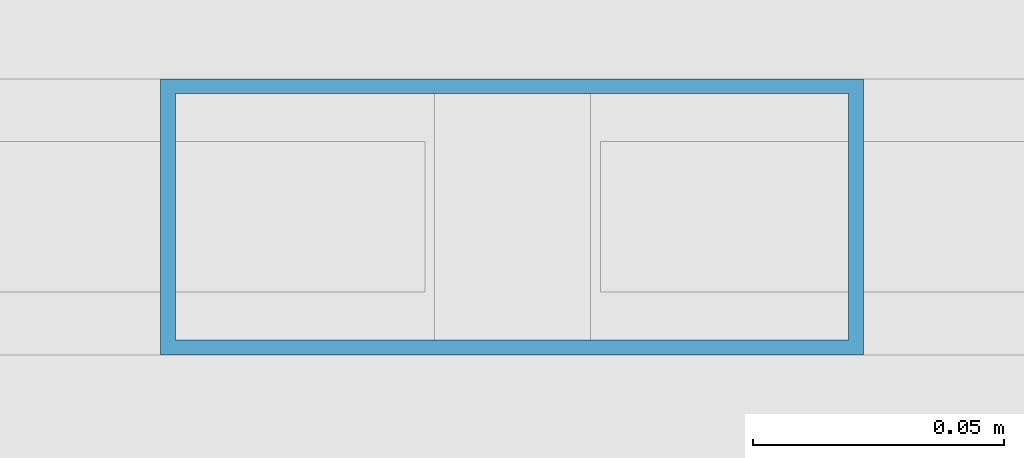
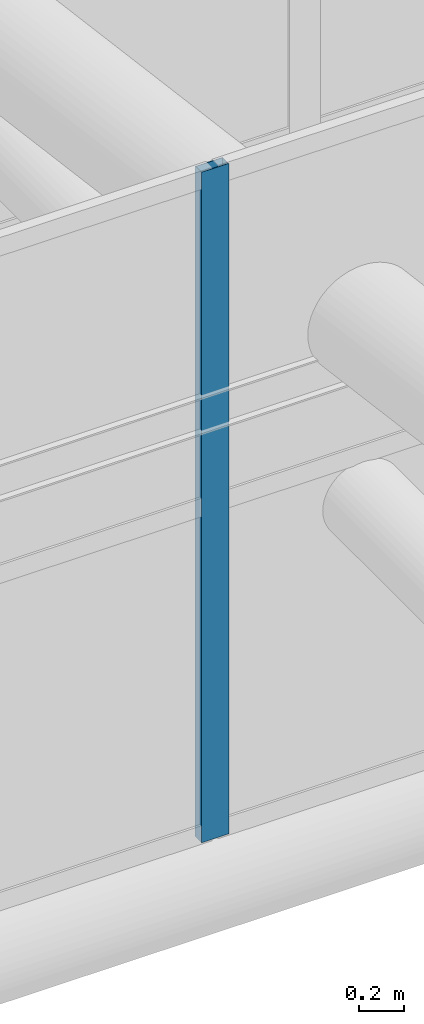
# One storey, part 306 of 397: 1 member, 1 element without a shape of its own.
"""IFC4 building model written with IfcOpenShell, lengths in metres."""

from ifc_helpers import new_model, si_unit, direction, frame, origin, origin_2d, place, context, subcontext, project, spatial, hollow_rectangle, extrude, material, material_profile, profile_set, type_object, element, aggregate, save


model = new_model("IFC4")

# Units and contexts
model_context = context("Model", 3, precision=1e-05, world=origin(), true_north=direction((0.0, 1.0)))
body_context = subcontext(model_context, "Body", "Model", "MODEL_VIEW")
ifc_project = project(units=[si_unit("LENGTHUNIT", "METRE"), si_unit("AREAUNIT", "SQUARE_METRE"), si_unit("VOLUMEUNIT", "CUBIC_METRE"), si_unit("PLANEANGLEUNIT", "RADIAN"), si_unit("MASSUNIT", "GRAM", prefix="KILO")], contexts=[model_context])

# Site, building, storey
site_placement = place(None, origin())
site = spatial("IfcSite", under=ifc_project, at=site_placement, CompositionType="ELEMENT")
building_placement = place(site_placement, origin())
building = spatial("IfcBuilding", under=site, at=building_placement, Name="Qandorah Velis Arena", CompositionType="ELEMENT")
storey_placement = place(building_placement, frame((0.0, 0.0, 27.5)))
storey = spatial("IfcBuildingStorey", under=building, at=storey_placement, Name="RF", CompositionType="ELEMENT", Elevation=27.5)

# Curtain wall, member
ifc_material_1 = material(Name="Solar-control low-E double glazing", Category="glass")
curtain_wall_type = type_object("IfcCurtainWallType", Name="ARC-CW-SYS04", PredefinedType="USERDEFINED", material=ifc_material_1)
curtain_wall_placement = place(storey_placement, origin())
curtain_wall = element("IfcCurtainWall", 1, at=curtain_wall_placement, inside=storey, type_object=curtain_wall_type, Name="Unitised curtain wall MON-4-4", ObjectType="UNITISED CURTAIN WALL", PredefinedType="USERDEFINED")
ifc_material_2 = material(Name="Champagne-bronze anodized aluminium 6063-T6", Category="aluminium")
ifc_material_profile = material_profile(ifc_material_2, hollow_rectangle(XDim=0.054931640625, YDim=0.139892578125, WallThickness=0.0029296875, at=origin_2d()), Name="ALU MULLION 55x140")
ifc_profile_set = profile_set([ifc_material_profile], Name="Champagne-bronze anodized aluminium 6063-T6")
member_type = type_object("IfcMemberType", Name="ARC-CWM-140", PredefinedType="MULLION", material=ifc_profile_set)
member_placement = place(storey_placement, frame((71.23876953125, 108.0, 6.064697265625), z_axis=(0.0, 0.0, 1.0), x_axis=(0.0, 1.0, 0.0)))
member = element("IfcMember", 2, at=member_placement, type_object=member_type, Name="CW04 mullion 5", PredefinedType="MULLION", context=body_context, shape_type="SweptSolid", body=[
    extrude(hollow_rectangle(XDim=0.054931640625, YDim=0.139892578125, WallThickness=0.0029296875, at=origin_2d()), origin(), (0.0, 0.0, 1.0), 3.6298828125),
])
aggregate(curtain_wall, [member])

save(model, "model.ifc")
